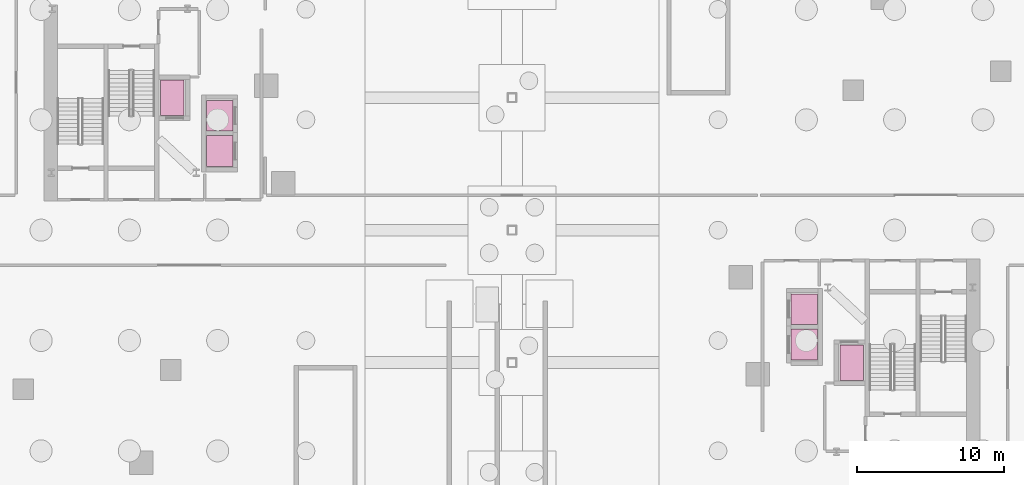
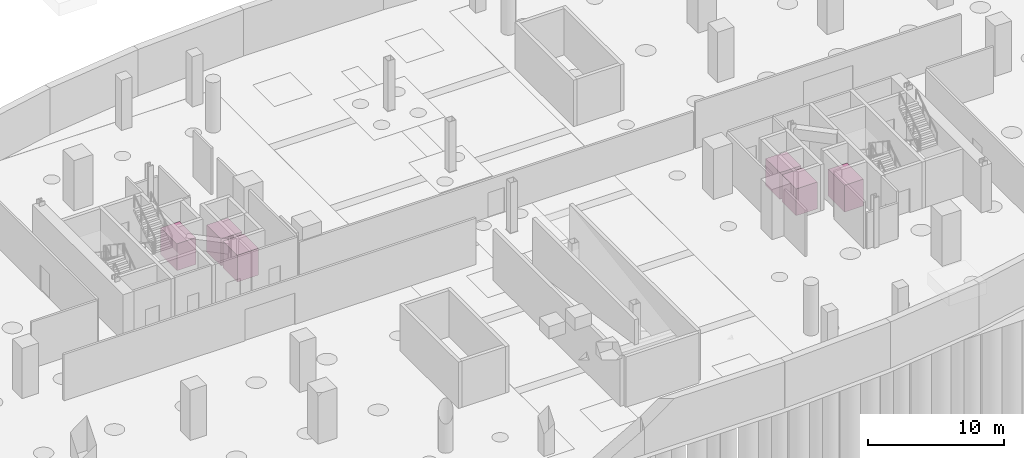
# One storey, part 10 of 10: 6 transport elements.
"""IFC4 building model written with IfcOpenShell, lengths in metres."""

from ifc_helpers import new_model, si_unit, direction, frame, origin, origin_2d, place, context, subcontext, project, spatial, rectangle, extrude, material, type_object, element, save


model = new_model("IFC4")

# Units and contexts
model_context = context("Model", 3, precision=1e-05, world=origin(), true_north=direction((0.0, 1.0)))
body_context = subcontext(model_context, "Body", "Model", "MODEL_VIEW")
ifc_project = project(units=[si_unit("LENGTHUNIT", "METRE"), si_unit("AREAUNIT", "SQUARE_METRE"), si_unit("VOLUMEUNIT", "CUBIC_METRE"), si_unit("PLANEANGLEUNIT", "RADIAN"), si_unit("MASSUNIT", "GRAM", prefix="KILO"), si_unit("THERMODYNAMICTEMPERATUREUNIT", "KELVIN"), si_unit("POWERUNIT", "WATT")], contexts=[model_context])

# Site, building, storey
site_placement = place(None, origin())
site = spatial("IfcSite", under=ifc_project, at=site_placement, CompositionType="ELEMENT")
building_placement = place(site_placement, origin())
building = spatial("IfcBuilding", under=site, at=building_placement, Name="Cundina Bronze Exchange", CompositionType="ELEMENT")
storey_placement = place(building_placement, frame((0.0, 0.0, -9.0)))
storey = spatial("IfcBuildingStorey", under=building, at=storey_placement, Name="B02", CompositionType="ELEMENT", Elevation=-9.0)

# Transport elements
ifc_material = material(Name="Steel ASTM A36 Painted", Category="steel")
transport_element_type_1 = type_object("IfcTransportElementType", Name="LFT-FFL-1800", PredefinedType="ELEVATOR", material=ifc_material)
for number, where, z_axis, x_axis, name in (
    (1, (-23.080078125, 9.0, 0.0), (0.0, 0.0, 1.0), (1.0, 0.0, 0.0), "Elevator Car FFL-W"),
    (2, (23.080078125, -9.0, 0.0), (0.0, 0.0, 1.0), (1.0, 0.0, 0.0), "Elevator Car FFL-E"),
):
    element("IfcTransportElement", number, at=place(storey_placement, frame(where, z_axis=z_axis, x_axis=x_axis)), inside=storey, type_object=transport_element_type_1, Name=name, PredefinedType="ELEVATOR", context=body_context, shape_type="SweptSolid", body=[
        extrude(rectangle(XDim=1.60009765625, YDim=2.39990234375, at=origin_2d()), origin(), (0.0, 0.0, 1.0), 2.39990234375),
    ])
transport_element_type_2 = type_object("IfcTransportElementType", Name="LFT-LOW-1600", PredefinedType="ELEVATOR", material=ifc_material)
for number, where, z_axis, x_axis, name in (
    (3, (-19.875, 7.77490234375, 0.0), (0.0, 0.0, 1.0), (1.0, 0.0, 0.0), "Elevator Car PL-W1"),
    (4, (-19.875, 5.375, 0.0), (0.0, 0.0, 1.0), (1.0, 0.0, 0.0), "Elevator Car PL-W2"),
    (5, (19.875, -7.77490234375, 0.0), (0.0, 0.0, 1.0), (1.0, 0.0, 0.0), "Elevator Car PL-E1"),
    (6, (19.875, -5.375, 0.0), (0.0, 0.0, 1.0), (1.0, 0.0, 0.0), "Elevator Car PL-E2"),
):
    element("IfcTransportElement", number, at=place(storey_placement, frame(where, z_axis=z_axis, x_axis=x_axis)), inside=storey, type_object=transport_element_type_2, Name=name, PredefinedType="ELEVATOR", context=body_context, shape_type="SweptSolid", body=[
        extrude(rectangle(XDim=1.800048828125, YDim=2.10009765625, at=origin_2d()), origin(), (0.0, 0.0, 1.0), 2.39990234375),
    ])

save(model, "model.ifc")
